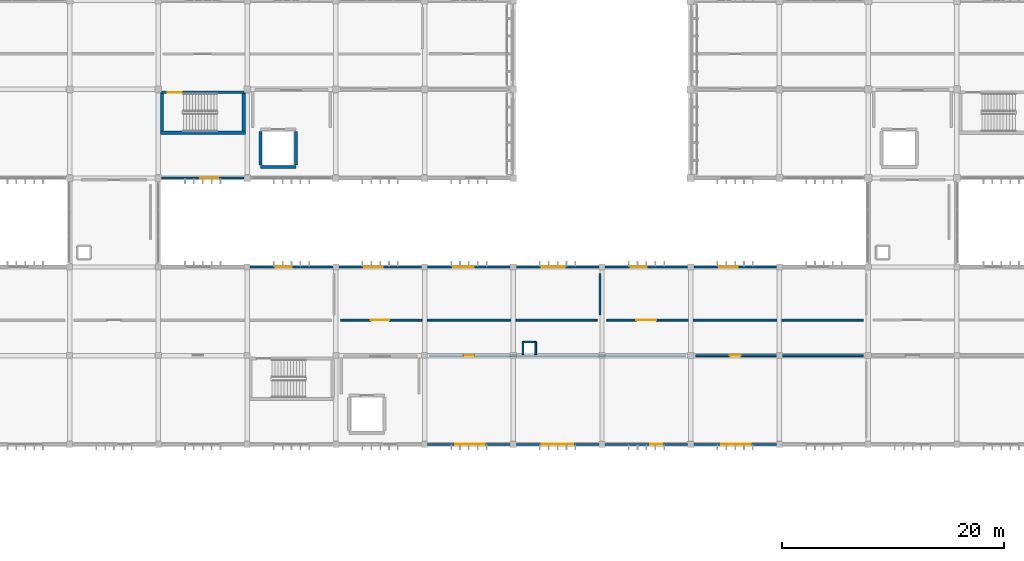
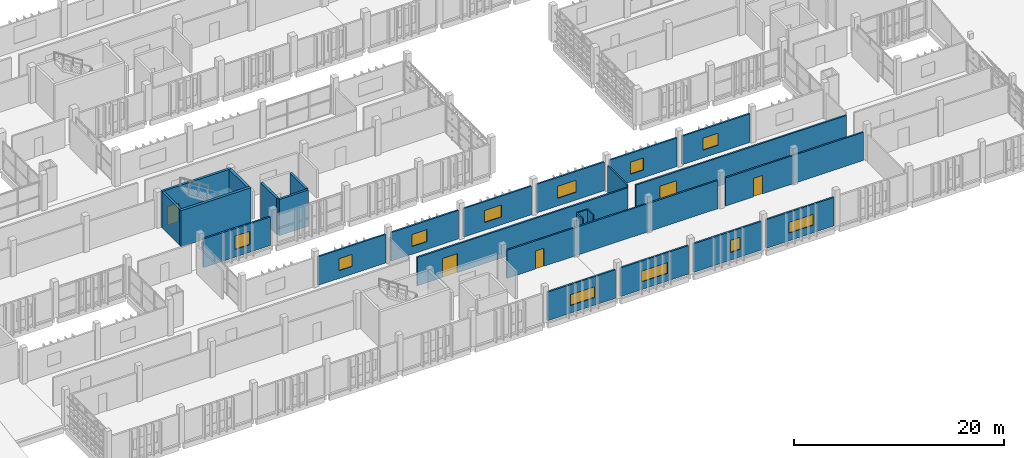
# One storey, part 67 of 83: 26 walls, 11 windows, 5 doors, 16 openings.
"""IFC4 building model written with IfcOpenShell, lengths in metres."""

from ifc_helpers import new_model, si_unit, direction, frame, frame_2d, origin, place, context, subcontext, project, spatial, rectangle, extrude, material, layer, layer_set, type_object, element, fill, save


model = new_model("IFC4")

# Units and contexts
model_context = context("Model", 3, precision=1e-05, world=origin(), true_north=direction((0.0, 1.0)))
body_context = subcontext(model_context, "Body", "Model", "MODEL_VIEW")
ifc_project = project(units=[si_unit("LENGTHUNIT", "METRE"), si_unit("AREAUNIT", "SQUARE_METRE"), si_unit("VOLUMEUNIT", "CUBIC_METRE"), si_unit("PLANEANGLEUNIT", "RADIAN"), si_unit("MASSUNIT", "GRAM", prefix="KILO")], contexts=[model_context])

# Site, building, storey
site_placement = place(None, origin())
site = spatial("IfcSite", under=ifc_project, at=site_placement, CompositionType="ELEMENT")
building_placement = place(site_placement, origin())
building = spatial("IfcBuilding", under=site, at=building_placement, Name="Jelvoka-Kovrelna Polytechnic", CompositionType="ELEMENT")
storey_placement = place(building_placement, frame((0.0, 0.0, 13.800048828125)))
storey = spatial("IfcBuildingStorey", under=building, at=storey_placement, Name="L04", CompositionType="ELEMENT", Elevation=13.800048828125)

# Wall, opening, door
ifc_material_1 = material(Name="Concrete C40/50", Category="concrete")
ifc_layer_1 = layer(ifc_material_1, 0.25)
ifc_layer_set_1 = layer_set([ifc_layer_1], Name="Concrete C40/50")
wall_type_1 = type_object("IfcWallType", Name="Wall_Core_250", PredefinedType="SOLIDWALL", material=ifc_layer_set_1)
wall_1_placement = place(storey_placement, frame((80.199951171875, 39.739990234375, 0.0), z_axis=(0.0, 0.0, 1.0), x_axis=(1.0, 0.0, 0.0)))
wall_1 = element("IfcWall", 1, at=wall_1_placement, inside=storey, type_object=wall_type_1, Name="L04 interior wall 0103", PredefinedType="SOLIDWALL", context=body_context, shape_type="SweptSolid", body=[
    extrude(rectangle(XDim=7.650146484375, YDim=0.25, at=frame_2d((3.8251953125, 0.0))), origin(), (0.0, 0.0, 1.0), 4.199951171875),
])
opening_1_placement = place(wall_1_placement, frame((0.64990234375, 0.0, 0.0)))
opening_1 = element("IfcOpeningElement", 2, at=opening_1_placement, cuts=wall_1, Name="Opening SD-L04-026", PredefinedType="OPENING", context=body_context, shape_type="SweptSolid", body=[
    extrude(rectangle(XDim=1.25, YDim=2.14990234375, at=frame_2d((0.625, 1.074951171875))), frame((0.0, 0.135009765625, 0.0), z_axis=(0.0, -1.0, 0.0), x_axis=(1.0, 0.0, 0.0)), (0.0, 0.0, 1.0), 0.27001953125),
])
ifc_material_2 = material(Name="Powder-coated steel fire door", Category="steel")
door_type_1 = type_object("IfcDoorType", Name="Door_Fire_FD02", OperationType="NOTDEFINED", PredefinedType="DOOR", material=ifc_material_2)
door_1_placement = place(opening_1_placement, origin())
door_1 = element("IfcDoor", 3, at=door_1_placement, inside=storey, type_object=door_type_1, Name="L04 interior door SD-L04-026", OperationType="SINGLE_SWING_LEFT", OverallHeight=2.14990234375, OverallWidth=1.25, PredefinedType="DOOR", context=body_context, shape_type="SweptSolid", body=[
    extrude(rectangle(XDim=1.25, YDim=2.14990234375, at=frame_2d((0.625, 1.074951171875))), frame((0.0, 0.02490234375, 0.0), z_axis=(0.0, -1.0, 0.0), x_axis=(1.0, 0.0, 0.0)), (0.0, 0.0, 1.0), 0.050048828125),
])
fill(opening_1, door_1)

# Walls
wall_2_placement = place(storey_placement, frame((80.324951171875, 36.25, 0.0), z_axis=(0.0, 0.0, 1.0), x_axis=(0.0, 1.0, 0.0)))
element("IfcWall", 4, at=wall_2_placement, inside=storey, type_object=wall_type_1, Name="L04 interior wall 0104", PredefinedType="SOLIDWALL", context=body_context, shape_type="SweptSolid", body=[
    extrude(rectangle(XDim=3.360107421875, YDim=0.25, at=frame_2d((1.68017578125, 0.0))), origin(), (0.0, 0.0, 1.0), 4.199951171875),
])
wall_3_placement = place(storey_placement, frame((89.199951171875, 33.0, 0.0), z_axis=(0.0, 0.0, 1.0), x_axis=(1.0, 0.0, 0.0)))
element("IfcWall", 5, at=wall_3_placement, inside=storey, type_object=wall_type_1, Name="L04 interior wall 0427", PredefinedType="SOLIDWALL", context=body_context, shape_type="SweptSolid", body=[
    extrude(rectangle(XDim=3.199951171875, YDim=0.25, at=frame_2d((1.60009765625, 0.0))), origin(), (0.0, 0.0, 1.0), 4.199951171875),
])
for number, where, z_axis, x_axis, name in (
    (6, (89.199951171875, 33.199951171875, 0.0), (0.0, 0.0, 1.0), (0.0, 1.0, 0.0), "L04 interior wall 0429"),
    (7, (92.39990234375, 33.199951171875, 0.0), (0.0, 0.0, 1.0), (0.0, 1.0, 0.0), "L04 interior wall 0430"),
):
    element("IfcWall", number, at=place(storey_placement, frame(where, z_axis=z_axis, x_axis=x_axis)), inside=storey, type_object=wall_type_1, Name=name, PredefinedType="SOLIDWALL", context=body_context, shape_type="SweptSolid", body=[
        extrude(rectangle(XDim=3.0, YDim=0.25, at=frame_2d((1.5, 0.0))), origin(), (0.0, 0.0, 1.0), 4.199951171875),
    ])

# Wall, opening, door
ifc_material_3 = material(Name="Autoclaved aerated concrete blockwork", Category="masonry")
ifc_layer_2 = layer(ifc_material_3, 0.179931640625)
ifc_layer_set_2 = layer_set([ifc_layer_2], Name="Autoclaved aerated concrete blockwork")
wall_type_2 = type_object("IfcWallType", Name="Wall_Corridor_180", PredefinedType="PARTITIONING", material=ifc_layer_set_2)
wall_4_placement = place(storey_placement, frame((104.429931640625, 16.0, 0.0), z_axis=(0.0, 0.0, 1.0), x_axis=(1.0, 0.0, 0.0)))
wall_4 = element("IfcWall", 8, at=wall_4_placement, inside=storey, type_object=wall_type_2, Name="L04 interior wall 1110", PredefinedType="PARTITIONING", context=body_context, shape_type="SweptSolid", body=[
    extrude(rectangle(XDim=23.14013671875, YDim=0.179931640625, at=frame_2d((11.570068359375, 0.0))), origin(), (0.0, 0.0, 1.0), 3.27490234375),
])
opening_2_placement = place(wall_4_placement, frame((3.094970703125, 0.0, 0.0)))
opening_2 = element("IfcOpeningElement", 9, at=opening_2_placement, cuts=wall_4, Name="Opening D-L04-331", PredefinedType="OPENING", context=body_context, shape_type="SweptSolid", body=[
    extrude(rectangle(XDim=0.949951171875, YDim=2.10009765625, at=frame_2d((0.47509765625, 1.050048828125))), frame((0.0, 0.099853515625, 0.0), z_axis=(0.0, -1.0, 0.0), x_axis=(1.0, 0.0, 0.0)), (0.0, 0.0, 1.0), 0.199951171875),
])
ifc_material_4 = material(Name="Hardwood fire-resisting laboratory door", Category="wood")
door_type_2 = type_object("IfcDoorType", Name="Door_Fire_FD30_01", OperationType="NOTDEFINED", PredefinedType="DOOR", material=ifc_material_4)
door_2_placement = place(opening_2_placement, origin())
door_2 = element("IfcDoor", 10, at=door_2_placement, inside=storey, type_object=door_type_2, Name="L04 interior door D-L04-331", OperationType="SINGLE_SWING_RIGHT", OverallHeight=2.10009765625, OverallWidth=0.949951171875, PredefinedType="DOOR", context=body_context, shape_type="SweptSolid", body=[
    extrude(rectangle(XDim=0.949951171875, YDim=2.10009765625, at=frame_2d((0.47509765625, 1.050048828125))), frame((0.0, 0.02490234375, 0.0), z_axis=(0.0, -1.0, 0.0), x_axis=(1.0, 0.0, 0.0)), (0.0, 0.0, 1.0), 0.050048828125),
])
fill(opening_2, door_2)

wall_5_placement = place(storey_placement, frame((128.429931640625, 16.0, 0.0), z_axis=(0.0, 0.0, 1.0), x_axis=(1.0, 0.0, 0.0)))
wall_5 = element("IfcWall", 11, at=wall_5_placement, inside=storey, type_object=wall_type_2, Name="L04 interior wall 1111", PredefinedType="PARTITIONING", context=body_context, shape_type="SweptSolid", body=[
    extrude(rectangle(XDim=15.14013671875, YDim=0.179931640625, at=frame_2d((7.570068359375, 0.0))), origin(), (0.0, 0.0, 1.0), 3.27490234375),
])
opening_3_placement = place(wall_5_placement, frame((3.070068359375, 0.0, 0.0)))
opening_3 = element("IfcOpeningElement", 12, at=opening_3_placement, cuts=wall_5, Name="Opening D-L04-332", PredefinedType="OPENING", context=body_context, shape_type="SweptSolid", body=[
    extrude(rectangle(XDim=1.0, YDim=2.14990234375, at=frame_2d((0.5, 1.074951171875))), frame((0.0, 0.099853515625, 0.0), z_axis=(0.0, -1.0, 0.0), x_axis=(1.0, 0.0, 0.0)), (0.0, 0.0, 1.0), 0.199951171875),
])
ifc_material_5 = material(Name="Hardwood acoustic seminar door", Category="wood")
door_type_3 = type_object("IfcDoorType", Name="Door_Int_D08", OperationType="NOTDEFINED", PredefinedType="DOOR", material=ifc_material_5)
door_3_placement = place(opening_3_placement, origin())
door_3 = element("IfcDoor", 13, at=door_3_placement, inside=storey, type_object=door_type_3, Name="L04 interior door D-L04-332", OperationType="SINGLE_SWING_LEFT", OverallHeight=2.14990234375, OverallWidth=1.0, PredefinedType="DOOR", context=body_context, shape_type="SweptSolid", body=[
    extrude(rectangle(XDim=1.0, YDim=2.14990234375, at=frame_2d((0.5, 1.074951171875))), frame((0.0, 0.02490234375, 0.0), z_axis=(0.0, -1.0, 0.0), x_axis=(1.0, 0.0, 0.0)), (0.0, 0.0, 1.0), 0.050048828125),
])
fill(opening_3, door_3)

wall_6_placement = place(storey_placement, frame((96.429931640625, 19.199951171875, 0.0), z_axis=(0.0, 0.0, 1.0), x_axis=(1.0, 0.0, 0.0)))
wall_6 = element("IfcWall", 14, at=wall_6_placement, inside=storey, type_object=wall_type_2, Name="L04 interior wall 1117", PredefinedType="PARTITIONING", context=body_context, shape_type="SweptSolid", body=[
    extrude(rectangle(XDim=23.14013671875, YDim=0.179931640625, at=frame_2d((11.570068359375, 0.0))), origin(), (0.0, 0.0, 1.0), 3.300048828125),
])
opening_4_placement = place(wall_6_placement, frame((2.739990234375, 0.0, 0.0)))
opening_4 = element("IfcOpeningElement", 15, at=opening_4_placement, cuts=wall_6, Name="Opening D-L04-336", PredefinedType="OPENING", context=body_context, shape_type="SweptSolid", body=[
    extrude(rectangle(XDim=1.659912109375, YDim=2.219970703125, at=frame_2d((0.830078125, 1.10986328125))), frame((0.0, 0.099853515625, 0.0), z_axis=(0.0, -1.0, 0.0), x_axis=(1.0, 0.0, 0.0)), (0.0, 0.0, 1.0), 0.199951171875),
])
ifc_material_6 = material(Name="Paired acoustic fire-resisting lecture door", Category="wood")
door_type_4 = type_object("IfcDoorType", Name="Door_Fire_FD30_08", OperationType="NOTDEFINED", PredefinedType="DOOR", material=ifc_material_6)
door_4_placement = place(opening_4_placement, origin())
door_4 = element("IfcDoor", 16, at=door_4_placement, inside=storey, type_object=door_type_4, Name="L04 interior door D-L04-336", OperationType="DOUBLE_DOOR_SINGLE_SWING", OverallHeight=2.219970703125, OverallWidth=1.659912109375, PredefinedType="DOOR", context=body_context, shape_type="SweptSolid", body=[
    extrude(rectangle(XDim=1.659912109375, YDim=2.219970703125, at=frame_2d((0.830078125, 1.10986328125))), frame((0.0, 0.02490234375, 0.0), z_axis=(0.0, -1.0, 0.0), x_axis=(1.0, 0.0, 0.0)), (0.0, 0.0, 1.0), 0.050048828125),
])
fill(opening_4, door_4)

wall_7_placement = place(storey_placement, frame((120.429931640625, 19.199951171875, 0.0), z_axis=(0.0, 0.0, 1.0), x_axis=(1.0, 0.0, 0.0)))
wall_7 = element("IfcWall", 17, at=wall_7_placement, inside=storey, type_object=wall_type_2, Name="L04 interior wall 1119", PredefinedType="PARTITIONING", context=body_context, shape_type="SweptSolid", body=[
    extrude(rectangle(XDim=23.14013671875, YDim=0.179931640625, at=frame_2d((11.570068359375, 0.0))), origin(), (0.0, 0.0, 1.0), 3.300048828125),
])
opening_5_placement = place(wall_7_placement, frame((2.659912109375, 0.0, 0.0)))
opening_5 = element("IfcOpeningElement", 18, at=opening_5_placement, cuts=wall_7, Name="Opening D-L04-337", PredefinedType="OPENING", context=body_context, shape_type="SweptSolid", body=[
    extrude(rectangle(XDim=1.820068359375, YDim=2.25, at=frame_2d((0.91015625, 1.125))), frame((0.0, 0.099853515625, 0.0), z_axis=(0.0, -1.0, 0.0), x_axis=(1.0, 0.0, 0.0)), (0.0, 0.0, 1.0), 0.199951171875),
])
ifc_material_7 = material(Name="Paired hardwood fire-resisting assembly door", Category="wood")
door_type_5 = type_object("IfcDoorType", Name="Door_Fire_FD30_10", OperationType="NOTDEFINED", PredefinedType="DOOR", material=ifc_material_7)
door_5_placement = place(opening_5_placement, origin())
door_5 = element("IfcDoor", 19, at=door_5_placement, inside=storey, type_object=door_type_5, Name="L04 interior door D-L04-337", OperationType="DOUBLE_DOOR_SINGLE_SWING", OverallHeight=2.25, OverallWidth=1.820068359375, PredefinedType="DOOR", context=body_context, shape_type="SweptSolid", body=[
    extrude(rectangle(XDim=1.820068359375, YDim=2.25, at=frame_2d((0.91015625, 1.125))), frame((0.0, 0.02490234375, 0.0), z_axis=(0.0, -1.0, 0.0), x_axis=(1.0, 0.0, 0.0)), (0.0, 0.0, 1.0), 0.050048828125),
])
fill(opening_5, door_5)

# Wall, opening, window
ifc_material_8 = material(Name="Precast concrete C40/50", Category="concrete")
ifc_layer_3 = layer(ifc_material_8, 0.18505859375)
ifc_layer_set_3 = layer_set([ifc_layer_3], Name="Precast concrete C40/50")
wall_type_3 = type_object("IfcWallType", Name="Wall_Ext_White_260", PredefinedType="STANDARD", material=ifc_layer_set_3)
wall_8_placement = place(storey_placement, frame((88.27197265625, 24.0, 0.0), z_axis=(0.0, 0.0, 1.0), x_axis=(1.0, 0.0, 0.0)))
wall_8 = element("IfcWall", 20, at=wall_8_placement, inside=storey, type_object=wall_type_3, Name="L04 exterior wall 0316", PredefinedType="STANDARD", context=body_context, shape_type="SweptSolid", body=[
    extrude(rectangle(XDim=7.4560546875, YDim=0.18505859375, at=frame_2d((3.72802734375, 0.0))), origin(), (0.0, 0.0, 1.0), 3.324951171875),
])
opening_6_placement = place(wall_8_placement, frame((2.30810546875, 0.0, 0.89990234375)))
opening_6 = element("IfcOpeningElement", 21, at=opening_6_placement, cuts=wall_8, Name="Opening W-L04-076", PredefinedType="OPENING", context=body_context, shape_type="SweptSolid", body=[
    extrude(rectangle(XDim=1.449951171875, YDim=1.39990234375, at=frame_2d((0.72509765625, 0.699951171875))), frame((0.0, 0.1025390625, 0.0), z_axis=(0.0, -1.0, 0.0), x_axis=(1.0, 0.0, 0.0)), (0.0, 0.0, 1.0), 0.205078125),
])
ifc_material_9 = material(Name="Thermally broken anodised aluminium and low-e glazing", Category="aluminium")
window_type_1 = type_object("IfcWindowType", Name="Win_Casement_W13", PartitioningType="SINGLE_PANEL", PredefinedType="WINDOW", material=ifc_material_9)
window_1_placement = place(opening_6_placement, origin())
window_1 = element("IfcWindow", 22, at=window_1_placement, inside=storey, type_object=window_type_1, Name="L04 aluminium casement window W-L04-076", OverallHeight=1.39990234375, OverallWidth=1.449951171875, PartitioningType="SINGLE_PANEL", PredefinedType="WINDOW", context=body_context, shape_type="SweptSolid", body=[
    extrude(rectangle(XDim=1.449951171875, YDim=1.39990234375, at=frame_2d((0.72509765625, 0.699951171875))), frame((0.0, 0.030029296875, 0.0), z_axis=(0.0, -1.0, 0.0), x_axis=(1.0, 0.0, 0.0)), (0.0, 0.0, 1.0), 0.06005859375),
])
fill(opening_6, window_1)

wall_9_placement = place(storey_placement, frame((96.27197265625, 24.0, 0.0), z_axis=(0.0, 0.0, 1.0), x_axis=(1.0, 0.0, 0.0)))
wall_9 = element("IfcWall", 23, at=wall_9_placement, inside=storey, type_object=wall_type_3, Name="L04 exterior wall 0318", PredefinedType="STANDARD", context=body_context, shape_type="SweptSolid", body=[
    extrude(rectangle(XDim=7.4560546875, YDim=0.18505859375, at=frame_2d((3.72802734375, 0.0))), origin(), (0.0, 0.0, 1.0), 3.324951171875),
])
opening_7_placement = place(wall_9_placement, frame((2.30810546875, 0.0, 0.89990234375)))
opening_7 = element("IfcOpeningElement", 24, at=opening_7_placement, cuts=wall_9, Name="Opening W-L04-078", PredefinedType="OPENING", context=body_context, shape_type="SweptSolid", body=[
    extrude(rectangle(XDim=1.64990234375, YDim=1.39990234375, at=frame_2d((0.824951171875, 0.699951171875))), frame((0.0, 0.1025390625, 0.0), z_axis=(0.0, -1.0, 0.0), x_axis=(1.0, 0.0, 0.0)), (0.0, 0.0, 1.0), 0.205078125),
])
ifc_material_10 = material(Name="Thermally broken anodised aluminium and low-e glazing", Category="aluminium")
window_type_2 = type_object("IfcWindowType", Name="Win_Casement_W14", PartitioningType="DOUBLE_PANEL_VERTICAL", PredefinedType="WINDOW", material=ifc_material_10)
window_2_placement = place(opening_7_placement, origin())
window_2 = element("IfcWindow", 25, at=window_2_placement, inside=storey, type_object=window_type_2, Name="L04 aluminium casement window W-L04-078", OverallHeight=1.39990234375, OverallWidth=1.64990234375, PartitioningType="DOUBLE_PANEL_VERTICAL", PredefinedType="WINDOW", context=body_context, shape_type="SweptSolid", body=[
    extrude(rectangle(XDim=1.64990234375, YDim=1.39990234375, at=frame_2d((0.824951171875, 0.699951171875))), frame((0.0, 0.030029296875, 0.0), z_axis=(0.0, -1.0, 0.0), x_axis=(1.0, 0.0, 0.0)), (0.0, 0.0, 1.0), 0.06005859375),
])
fill(opening_7, window_2)

wall_10_placement = place(storey_placement, frame((111.72802734375, 8.0, 0.0), z_axis=(0.0, 0.0, 1.0), x_axis=(-1.0, 0.0, 0.0)))
wall_10 = element("IfcWall", 26, at=wall_10_placement, inside=storey, type_object=wall_type_3, Name="L04 exterior wall 0319", PredefinedType="STANDARD", context=body_context, shape_type="SweptSolid", body=[
    extrude(rectangle(XDim=7.4560546875, YDim=0.18505859375, at=frame_2d((3.72802734375, 0.0))), origin(), (0.0, 0.0, 1.0), 3.324951171875),
])
opening_8_placement = place(wall_10_placement, frame((2.30810546875, 0.0, 0.89990234375)))
opening_8 = element("IfcOpeningElement", 27, at=opening_8_placement, cuts=wall_10, Name="Opening W-L04-079", PredefinedType="OPENING", context=body_context, shape_type="SweptSolid", body=[
    extrude(rectangle(XDim=2.64990234375, YDim=1.25, at=frame_2d((1.324951171875, 0.625))), frame((0.0, 0.1025390625, 0.0), z_axis=(0.0, -1.0, 0.0), x_axis=(1.0, 0.0, 0.0)), (0.0, 0.0, 1.0), 0.205078125),
])
ifc_material_11 = material(Name="Thermally broken anodised aluminium and low-e glazing", Category="aluminium")
window_type_3 = type_object("IfcWindowType", Name="Win_Casement_W09", PartitioningType="DOUBLE_PANEL_VERTICAL", PredefinedType="WINDOW", material=ifc_material_11)
window_3_placement = place(opening_8_placement, origin())
window_3 = element("IfcWindow", 28, at=window_3_placement, inside=storey, type_object=window_type_3, Name="L04 aluminium casement window W-L04-079", OverallHeight=1.25, OverallWidth=2.64990234375, PartitioningType="DOUBLE_PANEL_VERTICAL", PredefinedType="WINDOW", context=body_context, shape_type="SweptSolid", body=[
    extrude(rectangle(XDim=2.64990234375, YDim=1.25, at=frame_2d((1.324951171875, 0.625))), frame((0.0, 0.030029296875, 0.0), z_axis=(0.0, -1.0, 0.0), x_axis=(1.0, 0.0, 0.0)), (0.0, 0.0, 1.0), 0.06005859375),
])
fill(opening_8, window_3)

wall_11_placement = place(storey_placement, frame((104.27197265625, 24.0, 0.0), z_axis=(0.0, 0.0, 1.0), x_axis=(1.0, 0.0, 0.0)))
wall_11 = element("IfcWall", 29, at=wall_11_placement, inside=storey, type_object=wall_type_3, Name="L04 exterior wall 0320", PredefinedType="STANDARD", context=body_context, shape_type="SweptSolid", body=[
    extrude(rectangle(XDim=7.4560546875, YDim=0.18505859375, at=frame_2d((3.72802734375, 0.0))), origin(), (0.0, 0.0, 1.0), 3.324951171875),
])
opening_9_placement = place(wall_11_placement, frame((2.30810546875, 0.0, 0.89990234375)))
opening_9 = element("IfcOpeningElement", 30, at=opening_9_placement, cuts=wall_11, Name="Opening W-L04-080", PredefinedType="OPENING", context=body_context, shape_type="SweptSolid", body=[
    extrude(rectangle(XDim=1.85009765625, YDim=1.39990234375, at=frame_2d((0.925048828125, 0.699951171875))), frame((0.0, 0.1025390625, 0.0), z_axis=(0.0, -1.0, 0.0), x_axis=(1.0, 0.0, 0.0)), (0.0, 0.0, 1.0), 0.205078125),
])
ifc_material_12 = material(Name="Thermally broken anodised aluminium and low-e glazing", Category="aluminium")
window_type_4 = type_object("IfcWindowType", Name="Win_Casement_W15", PartitioningType="DOUBLE_PANEL_VERTICAL", PredefinedType="WINDOW", material=ifc_material_12)
window_4_placement = place(opening_9_placement, origin())
window_4 = element("IfcWindow", 31, at=window_4_placement, inside=storey, type_object=window_type_4, Name="L04 aluminium casement window W-L04-080", OverallHeight=1.39990234375, OverallWidth=1.85009765625, PartitioningType="DOUBLE_PANEL_VERTICAL", PredefinedType="WINDOW", context=body_context, shape_type="SweptSolid", body=[
    extrude(rectangle(XDim=1.85009765625, YDim=1.39990234375, at=frame_2d((0.925048828125, 0.699951171875))), frame((0.0, 0.030029296875, 0.0), z_axis=(0.0, -1.0, 0.0), x_axis=(1.0, 0.0, 0.0)), (0.0, 0.0, 1.0), 0.06005859375),
])
fill(opening_9, window_4)

wall_12_placement = place(storey_placement, frame((119.72802734375, 8.0, 0.0), z_axis=(0.0, 0.0, 1.0), x_axis=(-1.0, 0.0, 0.0)))
wall_12 = element("IfcWall", 32, at=wall_12_placement, inside=storey, type_object=wall_type_3, Name="L04 exterior wall 0321", PredefinedType="STANDARD", context=body_context, shape_type="SweptSolid", body=[
    extrude(rectangle(XDim=7.4560546875, YDim=0.18505859375, at=frame_2d((3.72802734375, 0.0))), origin(), (0.0, 0.0, 1.0), 3.324951171875),
])
opening_10_placement = place(wall_12_placement, frame((2.30810546875, 0.0, 0.89990234375)))
opening_10 = element("IfcOpeningElement", 33, at=opening_10_placement, cuts=wall_12, Name="Opening W-L04-081", PredefinedType="OPENING", context=body_context, shape_type="SweptSolid", body=[
    extrude(rectangle(XDim=2.85009765625, YDim=1.25, at=frame_2d((1.425048828125, 0.625))), frame((0.0, 0.1025390625, 0.0), z_axis=(0.0, -1.0, 0.0), x_axis=(1.0, 0.0, 0.0)), (0.0, 0.0, 1.0), 0.205078125),
])
ifc_material_13 = material(Name="Thermally broken anodised aluminium and low-e glazing", Category="aluminium")
window_type_5 = type_object("IfcWindowType", Name="Win_Casement_W10", PartitioningType="DOUBLE_PANEL_VERTICAL", PredefinedType="WINDOW", material=ifc_material_13)
window_5_placement = place(opening_10_placement, origin())
window_5 = element("IfcWindow", 34, at=window_5_placement, inside=storey, type_object=window_type_5, Name="L04 aluminium casement window W-L04-081", OverallHeight=1.25, OverallWidth=2.85009765625, PartitioningType="DOUBLE_PANEL_VERTICAL", PredefinedType="WINDOW", context=body_context, shape_type="SweptSolid", body=[
    extrude(rectangle(XDim=2.85009765625, YDim=1.25, at=frame_2d((1.425048828125, 0.625))), frame((0.0, 0.030029296875, 0.0), z_axis=(0.0, -1.0, 0.0), x_axis=(1.0, 0.0, 0.0)), (0.0, 0.0, 1.0), 0.06005859375),
])
fill(opening_10, window_5)

wall_13_placement = place(storey_placement, frame((112.27197265625, 24.0, 0.0), z_axis=(0.0, 0.0, 1.0), x_axis=(1.0, 0.0, 0.0)))
wall_13 = element("IfcWall", 35, at=wall_13_placement, inside=storey, type_object=wall_type_3, Name="L04 exterior wall 0322", PredefinedType="STANDARD", context=body_context, shape_type="SweptSolid", body=[
    extrude(rectangle(XDim=7.4560546875, YDim=0.18505859375, at=frame_2d((3.72802734375, 0.0))), origin(), (0.0, 0.0, 1.0), 3.324951171875),
])
opening_11_placement = place(wall_13_placement, frame((2.30810546875, 0.0, 0.89990234375)))
opening_11 = element("IfcOpeningElement", 36, at=opening_11_placement, cuts=wall_13, Name="Opening W-L04-082", PredefinedType="OPENING", context=body_context, shape_type="SweptSolid", body=[
    extrude(rectangle(XDim=2.050048828125, YDim=1.39990234375, at=frame_2d((1.02490234375, 0.699951171875))), frame((0.0, 0.1025390625, 0.0), z_axis=(0.0, -1.0, 0.0), x_axis=(1.0, 0.0, 0.0)), (0.0, 0.0, 1.0), 0.205078125),
])
ifc_material_14 = material(Name="Thermally broken anodised aluminium and low-e glazing", Category="aluminium")
window_type_6 = type_object("IfcWindowType", Name="Win_Casement_W16", PartitioningType="DOUBLE_PANEL_VERTICAL", PredefinedType="WINDOW", material=ifc_material_14)
window_6_placement = place(opening_11_placement, origin())
window_6 = element("IfcWindow", 37, at=window_6_placement, inside=storey, type_object=window_type_6, Name="L04 aluminium casement window W-L04-082", OverallHeight=1.39990234375, OverallWidth=2.050048828125, PartitioningType="DOUBLE_PANEL_VERTICAL", PredefinedType="WINDOW", context=body_context, shape_type="SweptSolid", body=[
    extrude(rectangle(XDim=2.050048828125, YDim=1.39990234375, at=frame_2d((1.02490234375, 0.699951171875))), frame((0.0, 0.030029296875, 0.0), z_axis=(0.0, -1.0, 0.0), x_axis=(1.0, 0.0, 0.0)), (0.0, 0.0, 1.0), 0.06005859375),
])
fill(opening_11, window_6)

wall_14_placement = place(storey_placement, frame((127.72802734375, 8.0, 0.0), z_axis=(0.0, 0.0, 1.0), x_axis=(-1.0, 0.0, 0.0)))
wall_14 = element("IfcWall", 38, at=wall_14_placement, inside=storey, type_object=wall_type_3, Name="L04 exterior wall 0323", PredefinedType="STANDARD", context=body_context, shape_type="SweptSolid", body=[
    extrude(rectangle(XDim=7.4560546875, YDim=0.18505859375, at=frame_2d((3.72802734375, 0.0))), origin(), (0.0, 0.0, 1.0), 3.324951171875),
])
opening_12_placement = place(wall_14_placement, frame((2.30810546875, 0.0, 0.89990234375)))
opening_12 = element("IfcOpeningElement", 39, at=opening_12_placement, cuts=wall_14, Name="Opening W-L04-083", PredefinedType="OPENING", context=body_context, shape_type="SweptSolid", body=[
    extrude(rectangle(XDim=1.050048828125, YDim=1.39990234375, at=frame_2d((0.52490234375, 0.699951171875))), frame((0.0, 0.1025390625, 0.0), z_axis=(0.0, -1.0, 0.0), x_axis=(1.0, 0.0, 0.0)), (0.0, 0.0, 1.0), 0.205078125),
])
ifc_material_15 = material(Name="Thermally broken anodised aluminium and low-e glazing", Category="aluminium")
window_type_7 = type_object("IfcWindowType", Name="Win_Casement_W11", PartitioningType="SINGLE_PANEL", PredefinedType="WINDOW", material=ifc_material_15)
window_7_placement = place(opening_12_placement, origin())
window_7 = element("IfcWindow", 40, at=window_7_placement, inside=storey, type_object=window_type_7, Name="L04 aluminium casement window W-L04-083", OverallHeight=1.39990234375, OverallWidth=1.050048828125, PartitioningType="SINGLE_PANEL", PredefinedType="WINDOW", context=body_context, shape_type="SweptSolid", body=[
    extrude(rectangle(XDim=1.050048828125, YDim=1.39990234375, at=frame_2d((0.52490234375, 0.699951171875))), frame((0.0, 0.030029296875, 0.0), z_axis=(0.0, -1.0, 0.0), x_axis=(1.0, 0.0, 0.0)), (0.0, 0.0, 1.0), 0.06005859375),
])
fill(opening_12, window_7)

wall_15_placement = place(storey_placement, frame((120.27197265625, 24.0, 0.0), z_axis=(0.0, 0.0, 1.0), x_axis=(1.0, 0.0, 0.0)))
wall_15 = element("IfcWall", 41, at=wall_15_placement, inside=storey, type_object=wall_type_3, Name="L04 exterior wall 0324", PredefinedType="STANDARD", context=body_context, shape_type="SweptSolid", body=[
    extrude(rectangle(XDim=7.4560546875, YDim=0.18505859375, at=frame_2d((3.72802734375, 0.0))), origin(), (0.0, 0.0, 1.0), 3.324951171875),
])
opening_13_placement = place(wall_15_placement, frame((2.30810546875, 0.0, 0.89990234375)))
opening_13 = element("IfcOpeningElement", 42, at=opening_13_placement, cuts=wall_15, Name="Opening W-L04-084", PredefinedType="OPENING", context=body_context, shape_type="SweptSolid", body=[
    extrude(rectangle(XDim=1.449951171875, YDim=1.39990234375, at=frame_2d((0.72509765625, 0.699951171875))), frame((0.0, 0.1025390625, 0.0), z_axis=(0.0, -1.0, 0.0), x_axis=(1.0, 0.0, 0.0)), (0.0, 0.0, 1.0), 0.205078125),
])
window_8_placement = place(opening_13_placement, origin())
window_8 = element("IfcWindow", 43, at=window_8_placement, inside=storey, type_object=window_type_1, Name="L04 aluminium casement window W-L04-084", OverallHeight=1.39990234375, OverallWidth=1.449951171875, PartitioningType="SINGLE_PANEL", PredefinedType="WINDOW", context=body_context, shape_type="SweptSolid", body=[
    extrude(rectangle(XDim=1.449951171875, YDim=1.39990234375, at=frame_2d((0.72509765625, 0.699951171875))), frame((0.0, 0.030029296875, 0.0), z_axis=(0.0, -1.0, 0.0), x_axis=(1.0, 0.0, 0.0)), (0.0, 0.0, 1.0), 0.06005859375),
])
fill(opening_13, window_8)

wall_16_placement = place(storey_placement, frame((135.72802734375, 8.0, 0.0), z_axis=(0.0, 0.0, 1.0), x_axis=(-1.0, 0.0, 0.0)))
wall_16 = element("IfcWall", 44, at=wall_16_placement, inside=storey, type_object=wall_type_3, Name="L04 exterior wall 0325", PredefinedType="STANDARD", context=body_context, shape_type="SweptSolid", body=[
    extrude(rectangle(XDim=7.4560546875, YDim=0.18505859375, at=frame_2d((3.72802734375, 0.0))), origin(), (0.0, 0.0, 1.0), 3.324951171875),
])
opening_14_placement = place(wall_16_placement, frame((2.30810546875, 0.0, 0.89990234375)))
opening_14 = element("IfcOpeningElement", 45, at=opening_14_placement, cuts=wall_16, Name="Opening W-L04-085", PredefinedType="OPENING", context=body_context, shape_type="SweptSolid", body=[
    extrude(rectangle(XDim=2.64990234375, YDim=1.25, at=frame_2d((1.324951171875, 0.625))), frame((0.0, 0.1025390625, 0.0), z_axis=(0.0, -1.0, 0.0), x_axis=(1.0, 0.0, 0.0)), (0.0, 0.0, 1.0), 0.205078125),
])
window_9_placement = place(opening_14_placement, origin())
window_9 = element("IfcWindow", 46, at=window_9_placement, inside=storey, type_object=window_type_3, Name="L04 aluminium casement window W-L04-085", OverallHeight=1.25, OverallWidth=2.64990234375, PartitioningType="DOUBLE_PANEL_VERTICAL", PredefinedType="WINDOW", context=body_context, shape_type="SweptSolid", body=[
    extrude(rectangle(XDim=2.64990234375, YDim=1.25, at=frame_2d((1.324951171875, 0.625))), frame((0.0, 0.030029296875, 0.0), z_axis=(0.0, -1.0, 0.0), x_axis=(1.0, 0.0, 0.0)), (0.0, 0.0, 1.0), 0.06005859375),
])
fill(opening_14, window_9)

wall_17_placement = place(storey_placement, frame((128.27197265625, 24.0, 0.0), z_axis=(0.0, 0.0, 1.0), x_axis=(1.0, 0.0, 0.0)))
wall_17 = element("IfcWall", 47, at=wall_17_placement, inside=storey, type_object=wall_type_3, Name="L04 exterior wall 0326", PredefinedType="STANDARD", context=body_context, shape_type="SweptSolid", body=[
    extrude(rectangle(XDim=7.4560546875, YDim=0.18505859375, at=frame_2d((3.72802734375, 0.0))), origin(), (0.0, 0.0, 1.0), 3.324951171875),
])
opening_15_placement = place(wall_17_placement, frame((2.30810546875, 0.0, 0.89990234375)))
opening_15 = element("IfcOpeningElement", 48, at=opening_15_placement, cuts=wall_17, Name="Opening W-L04-086", PredefinedType="OPENING", context=body_context, shape_type="SweptSolid", body=[
    extrude(rectangle(XDim=1.64990234375, YDim=1.39990234375, at=frame_2d((0.824951171875, 0.699951171875))), frame((0.0, 0.1025390625, 0.0), z_axis=(0.0, -1.0, 0.0), x_axis=(1.0, 0.0, 0.0)), (0.0, 0.0, 1.0), 0.205078125),
])
window_10_placement = place(opening_15_placement, origin())
window_10 = element("IfcWindow", 49, at=window_10_placement, inside=storey, type_object=window_type_2, Name="L04 aluminium casement window W-L04-086", OverallHeight=1.39990234375, OverallWidth=1.64990234375, PartitioningType="DOUBLE_PANEL_VERTICAL", PredefinedType="WINDOW", context=body_context, shape_type="SweptSolid", body=[
    extrude(rectangle(XDim=1.64990234375, YDim=1.39990234375, at=frame_2d((0.824951171875, 0.699951171875))), frame((0.0, 0.030029296875, 0.0), z_axis=(0.0, -1.0, 0.0), x_axis=(1.0, 0.0, 0.0)), (0.0, 0.0, 1.0), 0.06005859375),
])
fill(opening_15, window_10)

wall_18_placement = place(storey_placement, frame((87.702880859375, 32.0, 0.0), z_axis=(0.0, 0.0, 1.0), x_axis=(-1.0, 0.0, 0.0)))
wall_18 = element("IfcWall", 50, at=wall_18_placement, inside=storey, type_object=wall_type_3, Name="L04 exterior wall 0402", PredefinedType="STANDARD", context=body_context, shape_type="SweptSolid", body=[
    extrude(rectangle(XDim=7.40576171875, YDim=0.18505859375, at=frame_2d((3.702880859375, 0.0))), origin(), (0.0, 0.0, 1.0), 3.324951171875),
])
opening_16_placement = place(wall_18_placement, frame((2.282958984375, 0.0, 0.89990234375)))
opening_16 = element("IfcOpeningElement", 51, at=opening_16_placement, cuts=wall_18, Name="Opening W-L04-139", PredefinedType="OPENING", context=body_context, shape_type="SweptSolid", body=[
    extrude(rectangle(XDim=1.64990234375, YDim=1.550048828125, at=frame_2d((0.824951171875, 0.77490234375))), frame((0.0, 0.1025390625, 0.0), z_axis=(0.0, -1.0, 0.0), x_axis=(1.0, 0.0, 0.0)), (0.0, 0.0, 1.0), 0.205078125),
])
ifc_material_16 = material(Name="Thermally broken anodised aluminium and low-e glazing", Category="aluminium")
window_type_8 = type_object("IfcWindowType", Name="Win_Casement_W24", PartitioningType="DOUBLE_PANEL_VERTICAL", PredefinedType="WINDOW", material=ifc_material_16)
window_11_placement = place(opening_16_placement, origin())
window_11 = element("IfcWindow", 52, at=window_11_placement, inside=storey, type_object=window_type_8, Name="L04 aluminium casement window W-L04-139", OverallHeight=1.550048828125, OverallWidth=1.64990234375, PartitioningType="DOUBLE_PANEL_VERTICAL", PredefinedType="WINDOW", context=body_context, shape_type="SweptSolid", body=[
    extrude(rectangle(XDim=1.64990234375, YDim=1.550048828125, at=frame_2d((0.824951171875, 0.77490234375))), frame((0.0, 0.030029296875, 0.0), z_axis=(0.0, -1.0, 0.0), x_axis=(1.0, 0.0, 0.0)), (0.0, 0.0, 1.0), 0.06005859375),
])
fill(opening_16, window_11)

# Walls
ifc_material_17 = material(Name="Autoclaved aerated concrete blockwork", Category="masonry")
ifc_layer_4 = layer(ifc_material_17, 0.14990234375)
ifc_layer_set_4 = layer_set([ifc_layer_4], Name="Autoclaved aerated concrete blockwork")
wall_type_4 = type_object("IfcWallType", Name="Wall_Partition_150", PredefinedType="PARTITIONING", material=ifc_layer_set_4)
wall_19_placement = place(storey_placement, frame((114.030029296875, 16.090087890625, 0.0), z_axis=(0.0, 0.0, 1.0), x_axis=(0.0, 1.0, 0.0)))
element("IfcWall", 53, at=wall_19_placement, inside=storey, type_object=wall_type_4, Name="L04 interior wall 0741", PredefinedType="PARTITIONING", context=body_context, shape_type="SweptSolid", body=[
    extrude(rectangle(XDim=1.139892578125, YDim=0.14990234375, at=frame_2d((0.56982421875, 0.0))), origin(), (0.0, 0.0, 1.0), 3.89990234375),
])
wall_20_placement = place(storey_placement, frame((114.030029296875, 17.22998046875, 0.0), z_axis=(0.0, 0.0, 1.0), x_axis=(-1.0, 0.0, 0.0)))
element("IfcWall", 54, at=wall_20_placement, inside=storey, type_object=wall_type_4, Name="L04 interior wall 0742", PredefinedType="PARTITIONING", context=body_context, shape_type="SweptSolid", body=[
    extrude(rectangle(XDim=1.159912109375, YDim=0.14990234375, at=frame_2d((0.580078125, 0.0))), origin(), (0.0, 0.0, 1.0), 3.89990234375),
])
wall_21_placement = place(storey_placement, frame((112.8701171875, 17.22998046875, 0.0), z_axis=(0.0, 0.0, 1.0), x_axis=(0.0, -1.0, 0.0)))
element("IfcWall", 55, at=wall_21_placement, inside=storey, type_object=wall_type_4, Name="L04 interior wall 0743", PredefinedType="PARTITIONING", context=body_context, shape_type="SweptSolid", body=[
    extrude(rectangle(XDim=1.139892578125, YDim=0.14990234375, at=frame_2d((0.56982421875, 0.0))), origin(), (0.0, 0.0, 1.0), 3.89990234375),
])
wall_22_placement = place(storey_placement, frame((119.820068359375, 19.669921875, 0.0), z_axis=(0.0, 0.0, 1.0), x_axis=(0.0, 1.0, 0.0)))
element("IfcWall", 56, at=wall_22_placement, inside=storey, type_object=wall_type_4, Name="L04 interior wall 1118", PredefinedType="PARTITIONING", context=body_context, shape_type="SweptSolid", body=[
    extrude(rectangle(XDim=3.7099609375, YDim=0.14990234375, at=frame_2d((1.85498046875, 0.0))), origin(), (0.0, 0.0, 1.0), 3.224853515625),
])
ifc_material_18 = material(Name="Concrete C40/50", Category="concrete")
ifc_layer_5 = layer(ifc_material_18, 0.300048828125)
ifc_layer_set_5 = layer_set([ifc_layer_5], Name="Concrete C40/50")
wall_type_5 = type_object("IfcWallType", Name="Wall_Shear_300", PredefinedType="SHEAR", material=ifc_layer_set_5)
wall_23_placement = place(storey_placement, frame((80.199951171875, 36.090087890625, 0.0), z_axis=(0.0, 0.0, 1.0), x_axis=(1.0, 0.0, 0.0)))
element("IfcWall", 57, at=wall_23_placement, inside=storey, type_object=wall_type_5, Name="L04 interior wall 0101", PredefinedType="SHEAR", context=body_context, shape_type="SweptSolid", body=[
    extrude(rectangle(XDim=7.650146484375, YDim=0.300048828125, at=frame_2d((3.8251953125, 0.0))), origin(), (0.0, 0.0, 1.0), 4.199951171875),
])
wall_24_placement = place(storey_placement, frame((87.7099609375, 36.25, 0.0), z_axis=(0.0, 0.0, 1.0), x_axis=(0.0, 1.0, 0.0)))
element("IfcWall", 58, at=wall_24_placement, inside=storey, type_object=wall_type_5, Name="L04 interior wall 0102", PredefinedType="SHEAR", context=body_context, shape_type="SweptSolid", body=[
    extrude(rectangle(XDim=3.360107421875, YDim=0.300048828125, at=frame_2d((1.68017578125, 0.0))), origin(), (0.0, 0.0, 1.0), 4.199951171875),
])

save(model, "model.ifc")
